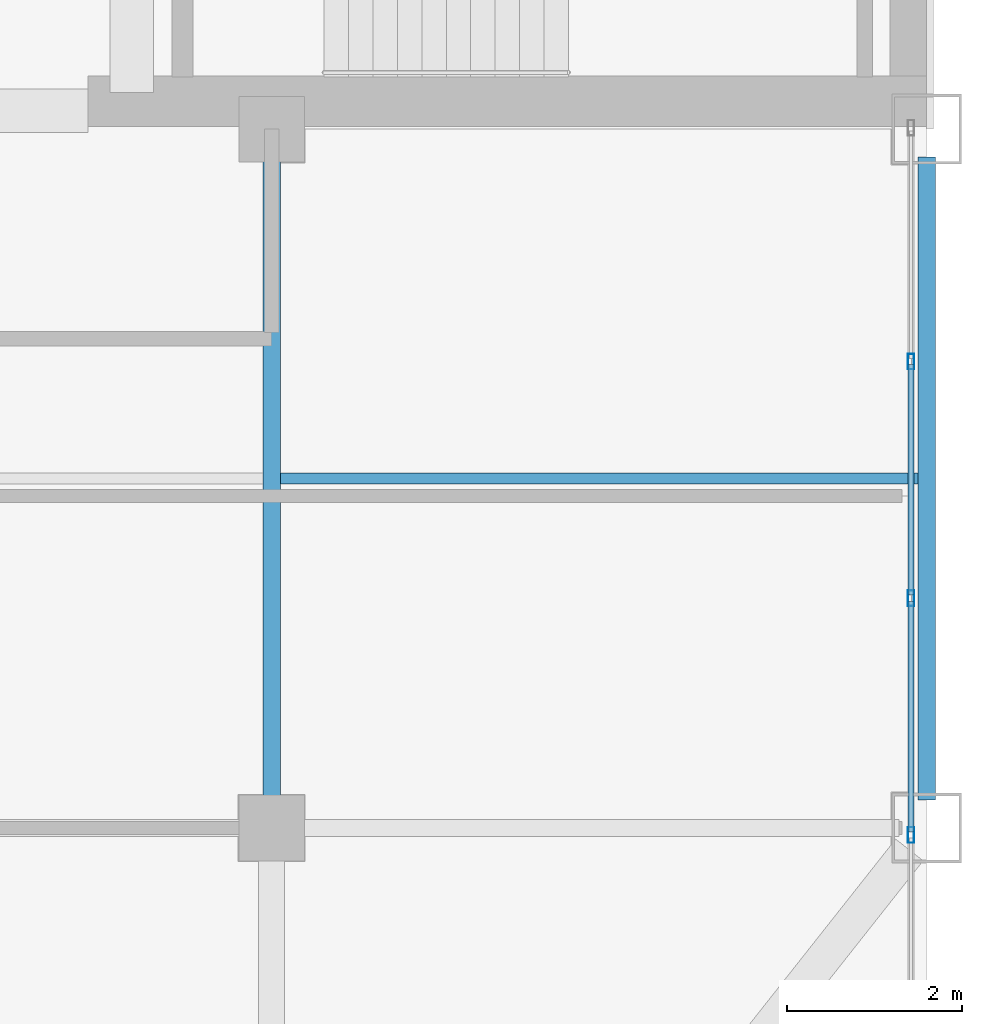
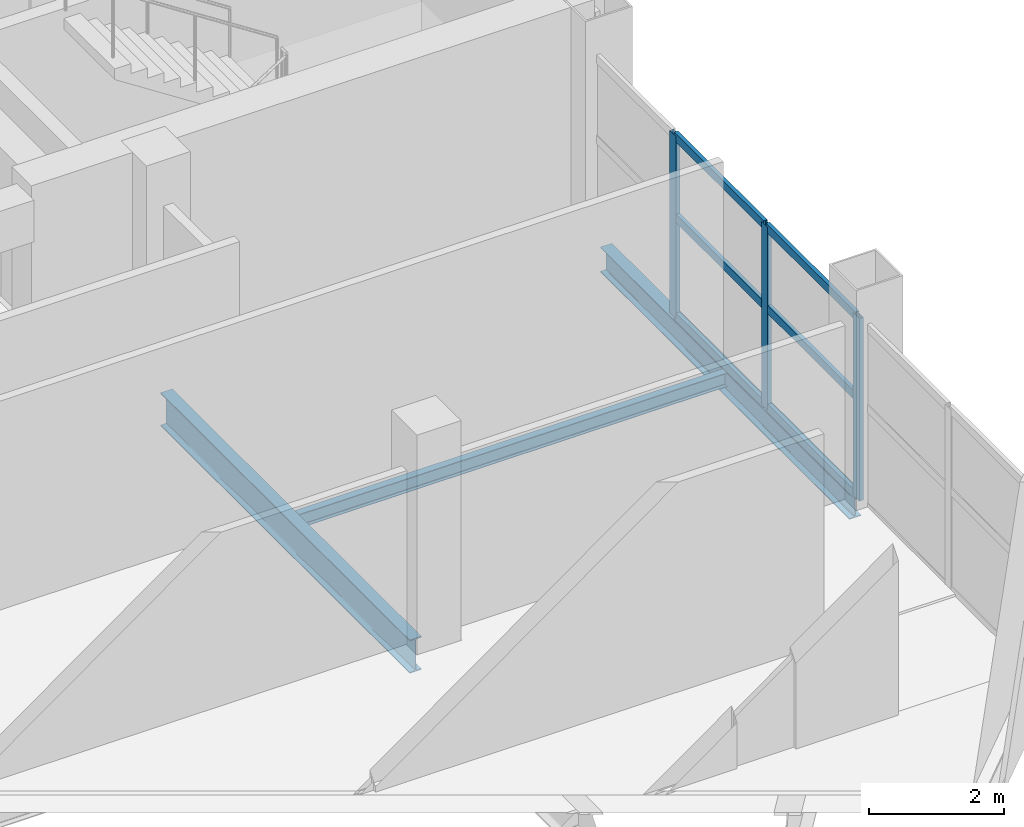
# One storey, part 4 of 13: 9 members, 3 beams, 1 element without a shape of its own.
"""IFC4 building model written with IfcOpenShell, lengths in metres."""

from ifc_helpers import new_model, si_unit, direction, frame, origin, origin_2d, place, context, subcontext, project, spatial, hollow_rectangle, i_section, extrude, material, layer, layer_set, material_profile, profile_set, type_object, element, aggregate, save


model = new_model("IFC4")

# Units and contexts
model_context = context("Model", 3, precision=1e-05, world=origin(), true_north=direction((0.0, 1.0)))
body_context = subcontext(model_context, "Body", "Model", "MODEL_VIEW")
ifc_project = project(units=[si_unit("LENGTHUNIT", "METRE"), si_unit("AREAUNIT", "SQUARE_METRE"), si_unit("VOLUMEUNIT", "CUBIC_METRE"), si_unit("PLANEANGLEUNIT", "RADIAN"), si_unit("MASSUNIT", "GRAM", prefix="KILO")], contexts=[model_context])

# Site, building, storey
site_placement = place(None, origin())
site = spatial("IfcSite", under=ifc_project, at=site_placement, CompositionType="ELEMENT")
building_placement = place(site_placement, origin())
building = spatial("IfcBuilding", under=site, at=building_placement, Name="Qianrong Seaharbour Tower", CompositionType="ELEMENT")
storey_placement = place(building_placement, frame((0.0, 0.0, 299.199951171875)))
storey = spatial("IfcBuildingStorey", under=building, at=storey_placement, Name="L72", CompositionType="ELEMENT", Elevation=299.199951171875)

# Beams
ifc_material_1 = material(Name="Structural steel SN490B", Category="steel")
ifc_material_profile_1 = material_profile(ifc_material_1, i_section(OverallWidth=0.199951171875, OverallDepth=0.60009765625, WebThickness=0.010986328125, FlangeThickness=0.01708984375, FilletRadius=0.02197265625, at=origin_2d()), Name="H600x200x11x17")
ifc_profile_set_1 = profile_set([ifc_material_profile_1], Name="Structural steel SN490B")
beam_type_1 = type_object("IfcBeamType", Name="BM-G-600", PredefinedType="BEAM", material=ifc_profile_set_1)
beam_1_placement = place(storey_placement, frame((56.5, 28.320068359375, -0.514892578125), z_axis=(0.0, 1.0, 0.0), x_axis=(-1.0, 0.0, 0.0)))
element("IfcBeam", 1, at=beam_1_placement, inside=storey, type_object=beam_type_1, Name="L72 Primary Girder G8 GE-GF", PredefinedType="BEAM", context=body_context, shape_type="SweptSolid", body=[
    extrude(i_section(OverallWidth=0.199951171875, OverallDepth=0.60009765625, WebThickness=0.010986328125, FlangeThickness=0.01708984375, FilletRadius=0.02197265625, at=origin_2d()), origin(), (0.0, 0.0, 1.0), 7.35986328125),
])
ifc_material_2 = material(Name="Structural steel SN400B", Category="steel")
ifc_material_profile_2 = material_profile(ifc_material_2, i_section(OverallWidth=0.125, OverallDepth=0.25, WebThickness=0.006103515625, FlangeThickness=0.009033203125, FilletRadius=0.011962890625, at=origin_2d()), Name="H250x125x6x9")
ifc_profile_set_2 = profile_set([ifc_material_profile_2], Name="Structural steel SN400B")
beam_type_2 = type_object("IfcBeamType", Name="BM-J-250", PredefinedType="JOIST", material=ifc_profile_set_2)
beam_2_placement = place(storey_placement, frame((56.60009765625, 32.0, -0.33984375), z_axis=(1.0, 0.0, 0.0), x_axis=(0.0, 1.0, 0.0)))
element("IfcBeam", 2, at=beam_2_placement, inside=storey, type_object=beam_type_2, Name="L72 Composite Floor Joist G8-G9/GE-GF", PredefinedType="JOIST", context=body_context, shape_type="SweptSolid", body=[
    extrude(i_section(OverallWidth=0.125, OverallDepth=0.25, WebThickness=0.006103515625, FlangeThickness=0.009033203125, FilletRadius=0.011962890625, at=origin_2d()), origin(), (0.0, 0.0, 1.0), 7.2998046875),
])
ifc_material_profile_3 = material_profile(ifc_material_2, i_section(OverallWidth=0.199951171875, OverallDepth=0.449951171875, WebThickness=0.009033203125, FlangeThickness=0.013916015625, FilletRadius=0.01806640625, at=origin_2d()), Name="H450x200x9x14")
ifc_profile_set_3 = profile_set([ifc_material_profile_3], Name="Structural steel SN400B")
beam_type_3 = type_object("IfcBeamType", Name="BM-SP-450", PredefinedType="SPANDREL", material=ifc_profile_set_3)
beam_3_placement = place(storey_placement, frame((64.0, 28.320068359375, -0.43994140625), z_axis=(0.0, 1.0, 0.0), x_axis=(-1.0, 0.0, 0.0)))
element("IfcBeam", 3, at=beam_3_placement, inside=storey, type_object=beam_type_3, Name="L72 Spandrel Girder G9 GE-GF", PredefinedType="SPANDREL", context=body_context, shape_type="SweptSolid", body=[
    extrude(i_section(OverallWidth=0.199951171875, OverallDepth=0.449951171875, WebThickness=0.009033203125, FlangeThickness=0.013916015625, FilletRadius=0.01806640625, at=origin_2d()), origin(), (0.0, 0.0, 1.0), 7.35986328125),
])

# Curtain wall, members
ifc_material_3 = material(Name="Anodised aluminium 6063-T6 and laminated low-e glass", Category="aluminium")
ifc_layer = layer(ifc_material_3, 0.195068359375)
ifc_layer_set = layer_set([ifc_layer], Name="Anodised aluminium 6063-T6 and laminated low-e glass")
curtain_wall_type = type_object("IfcCurtainWallType", Name="CW-SYS-3", PredefinedType="NOTDEFINED", material=ifc_layer_set)
curtain_wall_placement = place(storey_placement, origin())
curtain_wall = element("IfcCurtainWall", 4, at=curtain_wall_placement, inside=storey, type_object=curtain_wall_type, Name="L72 Sky-Garden Wintergarden Curtain Wall EAST_WING", PredefinedType="NOTDEFINED")
ifc_material_4 = material(Name="Extruded aluminium 6063-T6", Category="aluminium")
ifc_material_profile_4 = material_profile(ifc_material_4, hollow_rectangle(XDim=0.070068359375, YDim=0.179931640625, WallThickness=0.00390625, at=origin_2d()), Name="ALU-MUL-180x70x4")
ifc_profile_set_4 = profile_set([ifc_material_profile_4], Name="Extruded aluminium 6063-T6")
member_type_1 = type_object("IfcMemberType", Name="CW-MUL-180", PredefinedType="MULLION", material=ifc_profile_set_4)
member_1_placement = place(storey_placement, frame((63.820068359375, 33.340087890625, 0.0), z_axis=(0.0, 0.0, 1.0), x_axis=(1.0, 0.0, 0.0)))
member_1 = element("IfcMember", 5, at=member_1_placement, type_object=member_type_1, Name="CW-3 mullion 2", PredefinedType="MULLION", context=body_context, shape_type="SweptSolid", body=[
    extrude(hollow_rectangle(XDim=0.070068359375, YDim=0.179931640625, WallThickness=0.00390625, at=origin_2d()), origin(), (0.0, 0.0, 1.0), 3.295166015625),
])
member_2_placement = place(storey_placement, frame((63.820068359375, 30.6298828125, 0.0), z_axis=(0.0, 0.0, 1.0), x_axis=(1.0, 0.0, 0.0)))
member_2 = element("IfcMember", 6, at=member_2_placement, type_object=member_type_1, Name="CW-3 mullion 3", PredefinedType="MULLION", context=body_context, shape_type="SweptSolid", body=[
    extrude(hollow_rectangle(XDim=0.070068359375, YDim=0.179931640625, WallThickness=0.00390625, at=origin_2d()), origin(), (0.0, 0.0, 1.0), 3.295166015625),
])
member_3_placement = place(storey_placement, frame((63.820068359375, 27.919921875, 0.0), z_axis=(0.0, 0.0, 1.0), x_axis=(1.0, 0.0, 0.0)))
member_3 = element("IfcMember", 7, at=member_3_placement, type_object=member_type_1, Name="CW-3 mullion 4", PredefinedType="MULLION", context=body_context, shape_type="SweptSolid", body=[
    extrude(hollow_rectangle(XDim=0.070068359375, YDim=0.179931640625, WallThickness=0.00390625, at=origin_2d()), origin(), (0.0, 0.0, 1.0), 3.295166015625),
])
ifc_material_profile_5 = material_profile(ifc_material_4, hollow_rectangle(XDim=0.06494140625, YDim=0.14990234375, WallThickness=0.00390625, at=origin_2d()), Name="ALU-TRN-150x65x4")
ifc_profile_set_5 = profile_set([ifc_material_profile_5], Name="Extruded aluminium 6063-T6")
member_type_2 = type_object("IfcMemberType", Name="CW-TRN-150", PredefinedType="USERDEFINED", material=ifc_profile_set_5)
member_4_placement = place(storey_placement, frame((63.820068359375, 33.304931640625, 0.032470703125), z_axis=(0.0, -1.0, 0.0), x_axis=(1.0, 0.0, 0.0)))
member_4 = element("IfcMember", 8, at=member_4_placement, type_object=member_type_2, Name="CW-3 transom 2.1", ObjectType="TRANSOM", PredefinedType="USERDEFINED", context=body_context, shape_type="SweptSolid", body=[
    extrude(hollow_rectangle(XDim=0.06494140625, YDim=0.14990234375, WallThickness=0.00390625, at=origin_2d()), origin(), (0.0, 0.0, 1.0), 2.639892578125),
])
member_5_placement = place(storey_placement, frame((63.820068359375, 33.304931640625, 1.812255859375), z_axis=(0.0, -1.0, 0.0), x_axis=(1.0, 0.0, 0.0)))
member_5 = element("IfcMember", 9, at=member_5_placement, type_object=member_type_2, Name="CW-3 transom 2.2", ObjectType="TRANSOM", PredefinedType="USERDEFINED", context=body_context, shape_type="SweptSolid", body=[
    extrude(hollow_rectangle(XDim=0.06494140625, YDim=0.14990234375, WallThickness=0.00390625, at=origin_2d()), origin(), (0.0, 0.0, 1.0), 2.639892578125),
])
member_6_placement = place(storey_placement, frame((63.820068359375, 33.304931640625, 3.262451171875), z_axis=(0.0, -1.0, 0.0), x_axis=(1.0, 0.0, 0.0)))
member_6 = element("IfcMember", 10, at=member_6_placement, type_object=member_type_2, Name="CW-3 transom 2.3", ObjectType="TRANSOM", PredefinedType="USERDEFINED", context=body_context, shape_type="SweptSolid", body=[
    extrude(hollow_rectangle(XDim=0.06494140625, YDim=0.14990234375, WallThickness=0.00390625, at=origin_2d()), origin(), (0.0, 0.0, 1.0), 2.639892578125),
])
member_7_placement = place(storey_placement, frame((63.820068359375, 30.594970703125, 0.032470703125), z_axis=(0.0, -1.0, 0.0), x_axis=(1.0, 0.0, 0.0)))
member_7 = element("IfcMember", 11, at=member_7_placement, type_object=member_type_2, Name="CW-3 transom 3.1", ObjectType="TRANSOM", PredefinedType="USERDEFINED", context=body_context, shape_type="SweptSolid", body=[
    extrude(hollow_rectangle(XDim=0.06494140625, YDim=0.14990234375, WallThickness=0.00390625, at=origin_2d()), origin(), (0.0, 0.0, 1.0), 2.639892578125),
])
member_8_placement = place(storey_placement, frame((63.820068359375, 30.594970703125, 1.812255859375), z_axis=(0.0, -1.0, 0.0), x_axis=(1.0, 0.0, 0.0)))
member_8 = element("IfcMember", 12, at=member_8_placement, type_object=member_type_2, Name="CW-3 transom 3.2", ObjectType="TRANSOM", PredefinedType="USERDEFINED", context=body_context, shape_type="SweptSolid", body=[
    extrude(hollow_rectangle(XDim=0.06494140625, YDim=0.14990234375, WallThickness=0.00390625, at=origin_2d()), origin(), (0.0, 0.0, 1.0), 2.639892578125),
])
member_9_placement = place(storey_placement, frame((63.820068359375, 30.594970703125, 3.262451171875), z_axis=(0.0, -1.0, 0.0), x_axis=(1.0, 0.0, 0.0)))
member_9 = element("IfcMember", 13, at=member_9_placement, type_object=member_type_2, Name="CW-3 transom 3.3", ObjectType="TRANSOM", PredefinedType="USERDEFINED", context=body_context, shape_type="SweptSolid", body=[
    extrude(hollow_rectangle(XDim=0.06494140625, YDim=0.14990234375, WallThickness=0.00390625, at=origin_2d()), origin(), (0.0, 0.0, 1.0), 2.639892578125),
])
aggregate(curtain_wall, [member_1, member_2, member_3, member_4, member_5, member_6, member_7, member_8, member_9])

save(model, "model.ifc")
